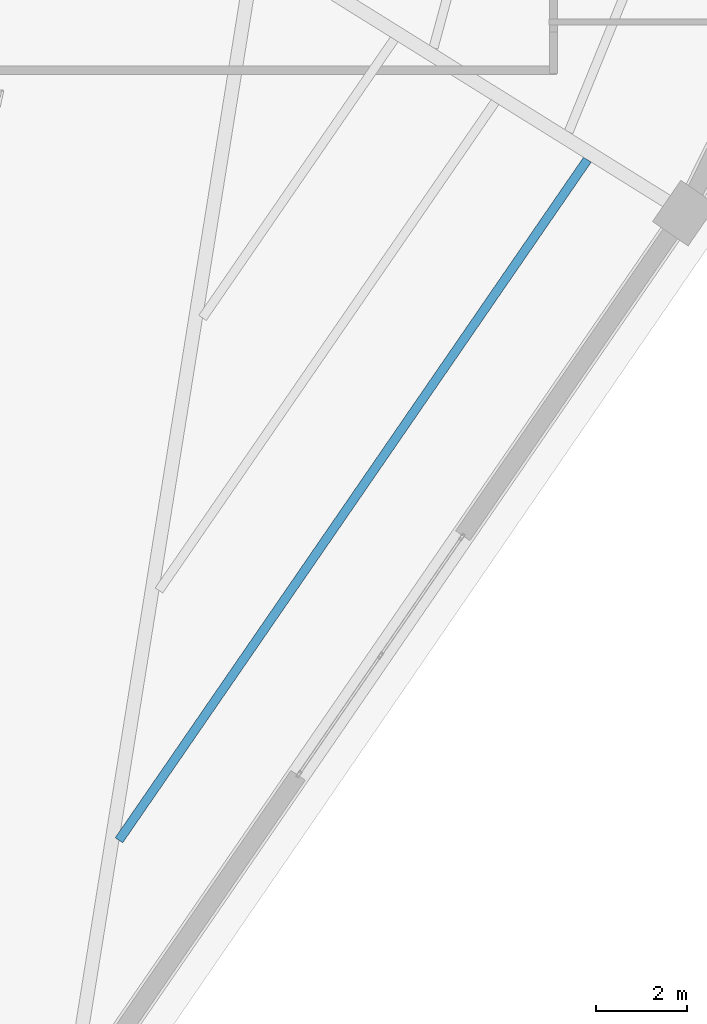
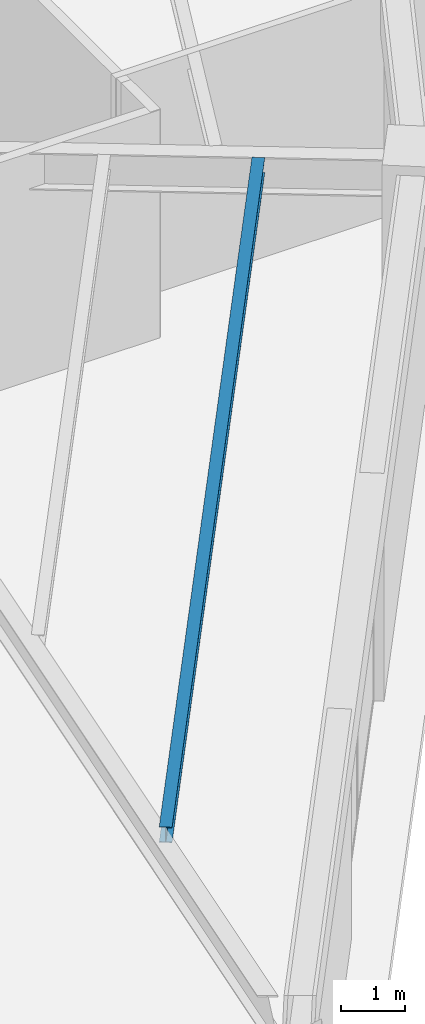
# One storey, part 11 of 35: 1 beam.
"""IFC4 building model written with IfcOpenShell, lengths in metres."""

import ifcopenshell
import ifcopenshell.guid

model = None  # the IFC model being written
_history = None  # IfcOwnerHistory: only IFC2X3 demands one
_inside = {}  # id of a spatial element -> (the spatial element, [elements in it])
_under = {}  # id of a project, library or spatial element -> (it, [spatial elements below it])
_declared = {}  # id of a project -> (the project, [libraries it declares])
_typed = {}  # id of a type object -> (the type object, [elements of that type])
_made_of = {}  # id of a material, layer set ... -> (it, [elements and type objects made of it])


def new_model(schema):
    """Start an empty IFC model of exactly this schema.

    Asked for "IFC4X3", IfcOpenShell would pick the latest addendum, in which some entities
    have other attributes; the version numbers below select the first issue.
    IFC2X3 requires an IfcOwnerHistory on every rooted entity: one is made here for all.
    """
    global model, _history
    if schema == "IFC4X3":
        model = ifcopenshell.file(schema_version=(4, 3, 0, 0))
    else:
        model = ifcopenshell.file(schema=schema)
    _inside.clear()
    _under.clear()
    _declared.clear()
    _typed.clear()
    _made_of.clear()
    _history = None
    if model.schema == "IFC2X3":
        org = make("IfcOrganization", Name="unknown")
        user = make(
            "IfcPersonAndOrganization",
            ThePerson=make("IfcPerson", FamilyName="unknown"),
            TheOrganization=org,
        )
        app = make(
            "IfcApplication",
            ApplicationDeveloper=org,
            Version="unknown",
            ApplicationFullName="unknown",
            ApplicationIdentifier="unknown",
        )
        _history = make(
            "IfcOwnerHistory",
            OwningUser=user,
            OwningApplication=app,
            ChangeAction="ADDED",
            CreationDate=0,
        )
    return model


def make(cls, **values):
    """One entity of the class cls with the attributes given. An attribute that is None is left unset."""
    return model.create_entity(
        cls, **{name: value for name, value in values.items() if value is not None}
    )


def rooted(cls, **values):
    """An entity with a GlobalId (a new one), such as an element, a storey or a relation."""
    return make(cls, GlobalId=ifcopenshell.guid.new(), OwnerHistory=_history, **values)


def si_unit(unit_type, name, prefix=None):
    """IfcSIUnit, for example si_unit("LENGTHUNIT", "METRE", prefix="MILLI")."""
    return make("IfcSIUnit", UnitType=unit_type, Prefix=prefix, Name=name)


def assignment(units):
    """IfcUnitAssignment: the units of a project."""
    return None if units is None else make("IfcUnitAssignment", Units=units)


def point(xyz):
    """IfcCartesianPoint."""
    return None if xyz is None else make("IfcCartesianPoint", Coordinates=xyz)


def direction(xyz):
    """IfcDirection."""
    return None if xyz is None else make("IfcDirection", DirectionRatios=xyz)


def frame(location, z_axis=None, x_axis=None):
    """IfcAxis2Placement3D, a coordinate frame: its origin and axes. An axis left out is left unset."""
    return make(
        "IfcAxis2Placement3D",
        Location=point(location),
        Axis=direction(z_axis),
        RefDirection=direction(x_axis),
    )


def frame_2d(location, x_axis=None):
    """IfcAxis2Placement2D, a coordinate frame in the plane: its origin and x axis."""
    return make(
        "IfcAxis2Placement2D", Location=point(location), RefDirection=direction(x_axis)
    )


def origin():
    """The frame at (0, 0, 0) with its axes left unset."""
    return frame((0.0, 0.0, 0.0))


def origin_2d():
    """The frame at (0, 0) in the plane with its x axis left unset."""
    return frame_2d((0.0, 0.0))


def place(relative_to, where):
    """IfcLocalPlacement: puts the frame where relative to a parent placement (None: the world)."""
    return make(
        "IfcLocalPlacement", PlacementRelTo=relative_to, RelativePlacement=where
    )


def context(
    kind, dimensions, precision=None, world=None, true_north=None, identifier=None
):
    """IfcGeometricRepresentationContext, for example the 3D "Model" context."""
    return make(
        "IfcGeometricRepresentationContext",
        ContextIdentifier=identifier,
        ContextType=kind,
        CoordinateSpaceDimension=dimensions,
        Precision=precision,
        WorldCoordinateSystem=world,
        TrueNorth=true_north,
    )


def subcontext(parent, identifier, kind, view, scale=None):
    """IfcGeometricRepresentationSubContext, for example "Body" below "Model"."""
    return make(
        "IfcGeometricRepresentationSubContext",
        ContextIdentifier=identifier,
        ContextType=kind,
        ParentContext=parent,
        TargetScale=scale,
        TargetView=view,
    )


def project(units=None, contexts=None):
    """IfcProject with its units and contexts."""
    return rooted(
        "IfcProject",
        Name="project",
        RepresentationContexts=contexts,
        UnitsInContext=assignment(units),
    )


def spatial(cls, under=None, at=None, **own):
    """A site, building, storey or space (cls), placed at a placement, below another one or the project."""
    s = rooted(cls, ObjectPlacement=at, **own)
    if under is not None:
        _under.setdefault(under.id(), (under, []))[1].append(s)
    return s


def profile(cls, at=None, kind="AREA", **sizes):
    """A parametric profile (cls). Its sizes go by their IFC names, for example OverallWidth=200.0."""
    return make(cls, ProfileType=kind, Position=at, **sizes)


def i_section(**sizes):
    """IfcIShapeProfileDef."""
    return profile("IfcIShapeProfileDef", **sizes)


def extrude(swept, where, along, depth):
    """IfcExtrudedAreaSolid: the profile swept, set in the frame where, extruded along a direction by depth."""
    return make(
        "IfcExtrudedAreaSolid",
        SweptArea=swept,
        Position=where,
        ExtrudedDirection=direction(along),
        Depth=depth,
    )


def shape(context_of_items, identifier, shape_type, items):
    """IfcShapeRepresentation: the items that make up one representation, for example the "Body"."""
    return make(
        "IfcShapeRepresentation",
        ContextOfItems=context_of_items,
        RepresentationIdentifier=identifier,
        RepresentationType=shape_type,
        Items=items,
    )


def source(mapping_origin, context_of_items, identifier, shape_type, items):
    """IfcRepresentationMap: a shape defined once, which mapped items show again and again."""
    return make(
        "IfcRepresentationMap",
        MappingOrigin=mapping_origin,
        MappedRepresentation=shape(context_of_items, identifier, shape_type, items),
    )


def transform(
    local_origin,
    x_axis=None,
    y_axis=None,
    z_axis=None,
    scale=None,
    scale2=None,
    scale3=None,
    uniform=True,
):
    """IfcCartesianTransformationOperator3D, or its non-uniform kind. x_axis, y_axis, z_axis: its Axis1, 2, 3."""
    if uniform:
        return make(
            "IfcCartesianTransformationOperator3D",
            Axis1=direction(x_axis),
            Axis2=direction(y_axis),
            LocalOrigin=point(local_origin),
            Scale=scale,
            Axis3=direction(z_axis),
        )
    return make(
        "IfcCartesianTransformationOperator3DnonUniform",
        Axis1=direction(x_axis),
        Axis2=direction(y_axis),
        LocalOrigin=point(local_origin),
        Scale=scale,
        Axis3=direction(z_axis),
        Scale2=scale2,
        Scale3=scale3,
    )


def mapped(mapping_source, mapping_target):
    """IfcMappedItem: shows the shape of a source again, moved by a transform."""
    return make(
        "IfcMappedItem", MappingSource=mapping_source, MappingTarget=mapping_target
    )


def material(Name=None, Category=None):
    """IfcMaterial."""
    return make("IfcMaterial", Name=Name, Category=Category)


def material_profile(
    of_material, cross_section, Name=None, Category=None, Priority=None
):
    """IfcMaterialProfile: a cross section and its material."""
    return make(
        "IfcMaterialProfile",
        Name=Name,
        Material=of_material,
        Profile=cross_section,
        Priority=Priority,
        Category=Category,
    )


def profile_set(profiles, Name=None, composite=None):
    """IfcMaterialProfileSet."""
    return make(
        "IfcMaterialProfileSet",
        Name=Name,
        MaterialProfiles=profiles,
        CompositeProfile=composite,
    )


def made_of(thing, what):
    """Note that an element or type object is made of a material, layer set ...; save() writes the relation."""
    if what is not None:
        _made_of.setdefault(what.id(), (what, []))[1].append(thing)
    return thing


def type_object(cls, material=None, **own):
    """A type object (cls), such as IfcWallType, which elements share."""
    return made_of(rooted(cls, **own), material)


def element(
    cls,
    number,
    at=None,
    inside=None,
    cuts=None,
    type_object=None,
    material=None,
    context=None,
    identifier="Body",
    shape_type=None,
    held_by="IfcProductDefinitionShape",
    body=None,
    shapes=None,
    **own,
):
    """One element of the class cls, such as IfcWall. Its Tag is "e" and its number.

    at: its placement. inside: the storey or other place that contains it. cuts: it is an
    opening in that element (IfcRelVoidsElement). A single representation is given by context,
    identifier, shape_type and body (its items); several are given by shapes. held_by: the class
    of the entity that holds the representations. save() writes the other relations.
    """
    e = rooted(cls, Tag="e%d" % number, ObjectPlacement=at, **own)
    if body is not None:
        shapes = [shape(context, identifier, shape_type, body)]
    if shapes is not None:
        e.Representation = make(held_by, Representations=shapes)
    if inside is not None:
        _inside.setdefault(inside.id(), (inside, []))[1].append(e)
    if cuts is not None:
        rooted(
            "IfcRelVoidsElement", RelatingBuildingElement=cuts, RelatedOpeningElement=e
        )
    if type_object is not None:
        _typed.setdefault(type_object.id(), (type_object, []))[1].append(e)
    return made_of(e, material)


def aggregate(whole, parts):
    """IfcRelAggregates: a whole, such as a stair, and the parts it consists of."""
    return rooted("IfcRelAggregates", RelatingObject=whole, RelatedObjects=parts)


def save(model, path):
    """Write the relations noted so far, then the file.

    IfcRelAggregates (storeys below a building ...), IfcRelContainedInSpatialStructure (elements
    in a storey), IfcRelDefinesByType, IfcRelAssociatesMaterial and IfcRelDeclares: one each for
    every whole, place, type object, material and project.
    """
    for whole, parts in _under.values():
        aggregate(whole, parts)
    for where, things in _inside.values():
        rooted(
            "IfcRelContainedInSpatialStructure",
            RelatedElements=things,
            RelatingStructure=where,
        )
    for kind, things in _typed.values():
        rooted("IfcRelDefinesByType", RelatedObjects=things, RelatingType=kind)
    for what, things in _made_of.values():
        rooted("IfcRelAssociatesMaterial", RelatedObjects=things, RelatingMaterial=what)
    for by, libraries in _declared.values():
        rooted("IfcRelDeclares", RelatingContext=by, RelatedDefinitions=libraries)
    model.write(path)


model = new_model("IFC4")

# Units and contexts
model_context = context("Model", 3, precision=1e-05, world=origin(), true_north=direction((0.0, 1.0)))
body_context = subcontext(model_context, "Body", "Model", "MODEL_VIEW")
ifc_project = project(units=[si_unit("LENGTHUNIT", "METRE"), si_unit("AREAUNIT", "SQUARE_METRE"), si_unit("VOLUMEUNIT", "CUBIC_METRE"), si_unit("PLANEANGLEUNIT", "RADIAN"), si_unit("MASSUNIT", "GRAM", prefix="KILO")], contexts=[model_context])

# Site, building, storey
site_placement = place(None, origin())
site = spatial("IfcSite", under=ifc_project, at=site_placement, CompositionType="ELEMENT")
building_placement = place(site_placement, origin())
building = spatial("IfcBuilding", under=site, at=building_placement, Name="Liaohun Quay Tower", CompositionType="ELEMENT")
storey_placement = place(building_placement, frame((0.0, 0.0, 282.0)))
storey = spatial("IfcBuildingStorey", under=building, at=storey_placement, Name="L73", CompositionType="ELEMENT", Elevation=282.0)

# Beam
ifc_material = material(Name="Steel Q355D", Category="steel")
ifc_material_profile = material_profile(ifc_material, i_section(OverallWidth=0.199951171875, OverallDepth=0.2939453125, WebThickness=0.008056640625, FlangeThickness=0.011962890625, at=origin_2d()), Name="HM294x200x8x12")
ifc_profile_set = profile_set([ifc_material_profile], Name="Steel Q355D")
beam_type = type_object("IfcBeamType", Name="BM-SEC-J4", PredefinedType="JOIST", material=ifc_profile_set)
shared_shape = source(origin(), body_context, "Body", "SweptSolid", [
    extrude(i_section(OverallWidth=0.199951171875, OverallDepth=0.2939453125, WebThickness=0.008056640625, FlangeThickness=0.011962890625, at=origin_2d()), origin(), (0.0, 0.0, 1.0), 18.183349609375),
])
beam_placement = place(storey_placement, frame((76.30810546875, 41.77001953125, 4.173095703125), z_axis=(-0.567001684763, -0.823716631783, 0.0), x_axis=(0.823716631783, -0.567001684763, 0.0)))
element("IfcBeam", 1, at=beam_placement, inside=storey, type_object=beam_type, Name="L73 Wing Secondary Floor Joist SJ-14", PredefinedType="JOIST", context=body_context, shape_type="MappedRepresentation", body=[
    mapped(shared_shape, transform((0.0, 0.0, 0.0), x_axis=(1.0, 0.0, 0.0), y_axis=(0.0, 1.0, 0.0), z_axis=(0.0, 0.0, 1.0), scale=1.0)),
])

save(model, "model.ifc")
